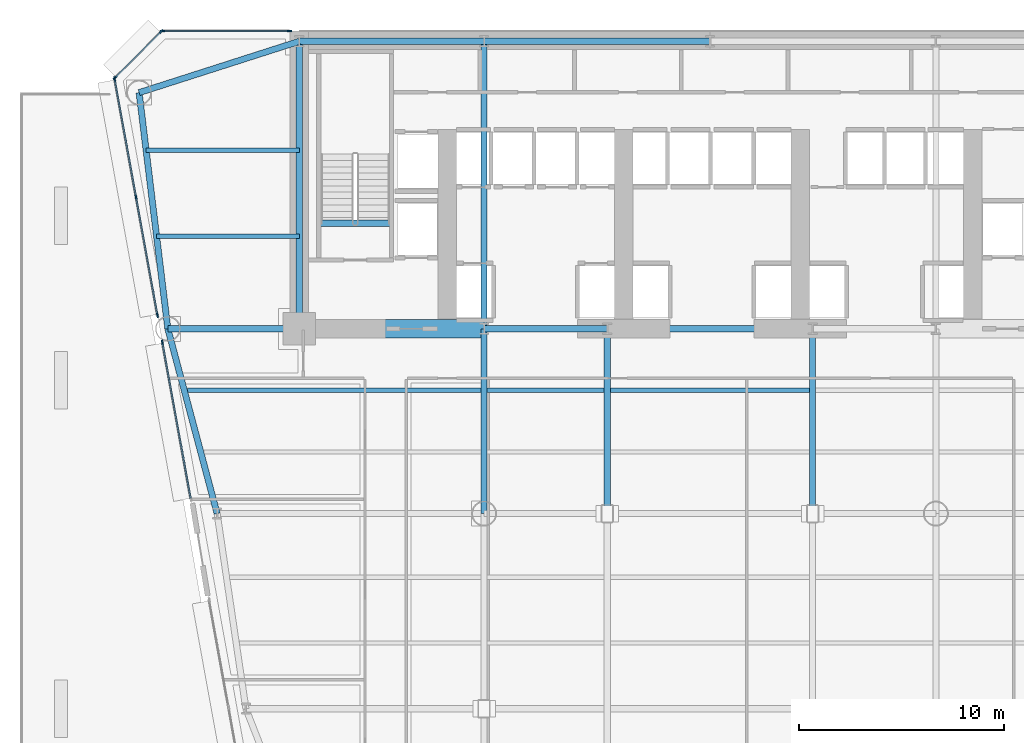
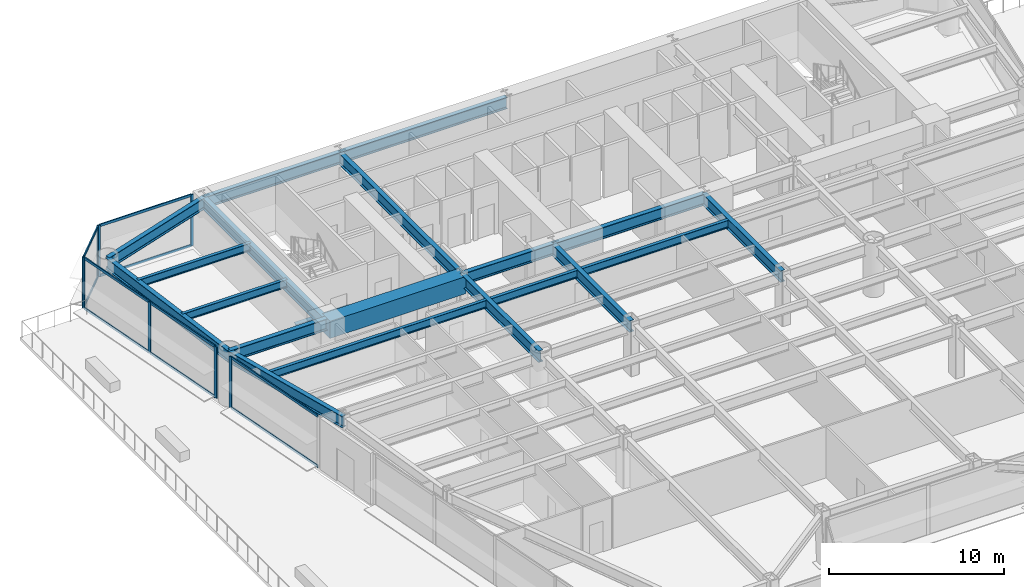
# One storey, part 5 of 14: 20 beams, 18 members, 4 elements without a shape of their own.
"""IFC4 building model written with IfcOpenShell, lengths in metres."""

from ifc_helpers import new_model, si_unit, direction, frame, origin, origin_2d, place, context, subcontext, project, spatial, rectangle, i_section, extrude, source, transform, mapped, material, layer, layer_set, material_profile, profile_set, type_object, element, aggregate, save


model = new_model("IFC4")

# Units and contexts
model_context = context("Model", 3, precision=1e-05, world=origin(), true_north=direction((0.0, 1.0)))
body_context = subcontext(model_context, "Body", "Model", "MODEL_VIEW")
ifc_project = project(units=[si_unit("LENGTHUNIT", "METRE"), si_unit("AREAUNIT", "SQUARE_METRE"), si_unit("VOLUMEUNIT", "CUBIC_METRE"), si_unit("PLANEANGLEUNIT", "RADIAN"), si_unit("MASSUNIT", "GRAM", prefix="KILO")], contexts=[model_context])

# Site, building, storey
site_placement = place(None, origin())
site = spatial("IfcSite", under=ifc_project, at=site_placement, CompositionType="ELEMENT")
building_placement = place(site_placement, origin())
building = spatial("IfcBuilding", under=site, at=building_placement, Name="Vaeldorn Concourse Tower", CompositionType="ELEMENT")
storey_placement = place(building_placement, frame((0.0, 0.0, 18.800048828125)))
storey = spatial("IfcBuildingStorey", under=building, at=storey_placement, Name="L04", CompositionType="ELEMENT", Elevation=18.800048828125)

# Beams
ifc_material_1 = material(Name="Concrete C60/75", Category="concrete")
ifc_material_profile_1 = material_profile(ifc_material_1, rectangle(XDim=0.89990234375, YDim=1.199951171875, at=origin_2d()), Name="RC 900x1200")
ifc_profile_set_1 = profile_set([ifc_material_profile_1], Name="Concrete C60/75")
beam_type_1 = type_object("IfcBeamType", Name="BM-CB-RC900", PredefinedType="BEAM", material=ifc_profile_set_1)
shared_shape_1 = source(origin(), body_context, "Body", "SweptSolid", [
    extrude(rectangle(XDim=0.89990234375, YDim=1.199951171875, at=origin_2d()), origin(), (0.0, 0.0, 1.0), 9.0),
])
beam_1_placement = place(storey_placement, frame((14.0, 36.5, 2.97998046875), z_axis=(1.0, 0.0, 0.0), x_axis=(0.0, 1.0, 0.0)))
element("IfcBeam", 1, at=beam_1_placement, inside=storey, type_object=beam_type_1, Name="Core Coupling Beam L04-1", PredefinedType="BEAM", context=body_context, shape_type="MappedRepresentation", body=[
    mapped(shared_shape_1, transform((0.0, 0.0, 0.0), scale=1.0)),
])
ifc_material_2 = material(Name="Steel S355", Category="steel")
ifc_material_profile_2 = material_profile(ifc_material_2, i_section(OverallWidth=0.300048828125, OverallDepth=0.340087890625, WebThickness=0.011962890625, FlangeThickness=0.021484375, FilletRadius=0.027099609375, at=origin_2d()), Name="HEB 340")
ifc_profile_set_2 = profile_set([ifc_material_profile_2], Name="Steel S355")
beam_type_2 = type_object("IfcBeamType", Name="BM-ST-TRIM", PredefinedType="BEAM", material=ifc_profile_set_2)
shared_shape_2 = source(origin(), body_context, "Body", "SweptSolid", [
    extrude(i_section(OverallWidth=0.300048828125, OverallDepth=0.340087890625, WebThickness=0.011962890625, FlangeThickness=0.021484375, FilletRadius=0.027099609375, at=origin_2d()), origin(), (0.0, 0.0, 1.0), 3.590087890625),
])
beam_2_placement = place(storey_placement, frame((14.929931640625, 41.639892578125, -0.449951171875), z_axis=(1.0, 0.0, 0.0), x_axis=(0.0, 1.0, 0.0)))
element("IfcBeam", 2, at=beam_2_placement, inside=storey, type_object=beam_type_2, Name="Stair Landing Trimmer Beam ST-1 L04", PredefinedType="BEAM", context=body_context, shape_type="MappedRepresentation", body=[
    mapped(shared_shape_2, transform((0.0, 0.0, 0.0), scale=1.0)),
])
ifc_material_profile_3 = material_profile(ifc_material_2, i_section(OverallWidth=0.300048828125, OverallDepth=0.800048828125, WebThickness=0.017578125, FlangeThickness=0.032958984375, FilletRadius=0.030029296875, at=origin_2d()), Name="HEB 800")
ifc_profile_set_3 = profile_set([ifc_material_profile_3], Name="Steel S355")
beam_type_3 = type_object("IfcBeamType", Name="BM-PG-HEB800", PredefinedType="BEAM", material=ifc_profile_set_3)
shared_shape_3 = source(origin(), body_context, "Body", "SweptSolid", [
    extrude(i_section(OverallWidth=0.300048828125, OverallDepth=0.800048828125, WebThickness=0.017578125, FlangeThickness=0.032958984375, FilletRadius=0.030029296875, at=origin_2d()), origin(), (0.0, 0.0, 1.0), 6.0),
])
beam_3_placement = place(storey_placement, frame((23.0, 36.5, 3.179931640625), z_axis=(1.0, 0.0, 0.0), x_axis=(0.0, 1.0, 0.0)))
element("IfcBeam", 3, at=beam_3_placement, inside=storey, type_object=beam_type_3, Name="Beam BM-L04-C-FC2-C-FC3", PredefinedType="BEAM", context=body_context, shape_type="MappedRepresentation", body=[
    mapped(shared_shape_3, transform((0.0, 0.0, 0.0), scale=1.0)),
])
shared_shape_4 = source(origin(), body_context, "Body", "SweptSolid", [
    extrude(i_section(OverallWidth=0.300048828125, OverallDepth=0.800048828125, WebThickness=0.017578125, FlangeThickness=0.032958984375, FilletRadius=0.030029296875, at=origin_2d()), origin(), (0.0, 0.0, 1.0), 10.0),
])
beam_4_placement = place(storey_placement, frame((29.0, 36.5, 3.179931640625), z_axis=(1.0, 0.0, 0.0), x_axis=(0.0, 1.0, 0.0)))
element("IfcBeam", 4, at=beam_4_placement, inside=storey, type_object=beam_type_3, Name="Beam BM-L04-C-FC3-C-FC4", PredefinedType="BEAM", context=body_context, shape_type="MappedRepresentation", body=[
    mapped(shared_shape_4, transform((0.0, 0.0, 0.0), scale=1.0)),
])
shared_shape_5 = source(origin(), body_context, "Body", "SweptSolid", [
    extrude(i_section(OverallWidth=0.300048828125, OverallDepth=0.800048828125, WebThickness=0.017578125, FlangeThickness=0.032958984375, FilletRadius=0.030029296875, at=origin_2d()), origin(), (0.0, 0.0, 1.0), 9.0),
])
for number, where, z_axis, x_axis, name in (
    (5, (14.0, 50.5, 3.179931640625), (1.0, 0.0, 0.0), (0.0, 1.0, 0.0), "Beam BM-L04-C-HC1-C-HC2"),
    (6, (23.0, 27.5, 3.179931640625), (0.0, 1.0, 0.0), (-1.0, 0.0, 0.0), "Beam BM-L04-C-TW1-C-FC2"),
    (7, (29.0, 27.5, 3.179931640625), (0.0, 1.0, 0.0), (-1.0, 0.0, 0.0), "Beam BM-L04-C-TW2-C-FC3"),
    (8, (39.0, 27.5, 3.179931640625), (0.0, 1.0, 0.0), (-1.0, 0.0, 0.0), "Beam BM-L04-C-TW3-C-FC4"),
):
    element("IfcBeam", number, at=place(storey_placement, frame(where, z_axis=z_axis, x_axis=x_axis)), inside=storey, type_object=beam_type_3, Name=name, PredefinedType="BEAM", context=body_context, shape_type="MappedRepresentation", body=[
        mapped(shared_shape_5, transform((0.0, 0.0, 0.0), scale=1.0)),
    ])
shared_shape_6 = source(origin(), body_context, "Body", "SweptSolid", [
    extrude(i_section(OverallWidth=0.300048828125, OverallDepth=0.800048828125, WebThickness=0.017578125, FlangeThickness=0.032958984375, FilletRadius=0.030029296875, at=origin_2d()), origin(), (0.0, 0.0, 1.0), 11.0),
])
beam_5_placement = place(storey_placement, frame((23.0, 50.5, 3.179931640625), z_axis=(1.0, 0.0, 0.0), x_axis=(0.0, 1.0, 0.0)))
element("IfcBeam", 9, at=beam_5_placement, inside=storey, type_object=beam_type_3, Name="Beam BM-L04-C-HC2-C-HC3", PredefinedType="BEAM", context=body_context, shape_type="MappedRepresentation", body=[
    mapped(shared_shape_6, transform((0.0, 0.0, 0.0), scale=1.0)),
])
shared_shape_7 = source(origin(), body_context, "Body", "SweptSolid", [
    extrude(i_section(OverallWidth=0.300048828125, OverallDepth=0.800048828125, WebThickness=0.017578125, FlangeThickness=0.032958984375, FilletRadius=0.030029296875, at=origin_2d()), origin(), (0.0, 0.0, 1.0), 14.0),
])
for number, where, z_axis, x_axis, name in (
    (10, (14.0, 36.5, 3.179931640625), (0.0, 1.0, 0.0), (-1.0, 0.0, 0.0), "Beam BM-L04-C-FC1-C-HC1"),
    (11, (23.0, 36.5, 3.179931640625), (0.0, 1.0, 0.0), (-1.0, 0.0, 0.0), "Beam BM-L04-C-FC2-C-HC2"),
):
    element("IfcBeam", number, at=place(storey_placement, frame(where, z_axis=z_axis, x_axis=x_axis)), inside=storey, type_object=beam_type_3, Name=name, PredefinedType="BEAM", context=body_context, shape_type="MappedRepresentation", body=[
        mapped(shared_shape_7, transform((0.0, 0.0, 0.0), scale=1.0)),
    ])
shared_shape_8 = source(origin(), body_context, "Body", "SweptSolid", [
    extrude(i_section(OverallWidth=0.300048828125, OverallDepth=0.800048828125, WebThickness=0.017578125, FlangeThickness=0.032958984375, FilletRadius=0.030029296875, at=origin_2d()), origin(), (0.0, 0.0, 1.0), 8.19091796875),
])
beam_6_placement = place(storey_placement, frame((6.199951171875, 48.0, 3.179931640625), z_axis=(0.952282843383, 0.305216949396, 0.0), x_axis=(-0.305216949396, 0.952282843383, 0.0)))
element("IfcBeam", 12, at=beam_6_placement, inside=storey, type_object=beam_type_3, Name="Beam BM-L04-C-NW1-C-HC1", PredefinedType="BEAM", context=body_context, shape_type="MappedRepresentation", body=[
    mapped(shared_shape_8, transform((0.0, 0.0, 0.0), scale=1.0)),
])
shared_shape_9 = source(origin(), body_context, "Body", "SweptSolid", [
    extrude(i_section(OverallWidth=0.300048828125, OverallDepth=0.800048828125, WebThickness=0.017578125, FlangeThickness=0.032958984375, FilletRadius=0.030029296875, at=origin_2d()), origin(), (0.0, 0.0, 1.0), 11.5849609375),
])
beam_7_placement = place(storey_placement, frame((6.199951171875, 48.0, 3.179931640625), z_axis=(0.120859382899, -0.992669637677, 0.0), x_axis=(0.992669637677, 0.120859382899, 0.0)))
element("IfcBeam", 13, at=beam_7_placement, inside=storey, type_object=beam_type_3, Name="Beam BM-L04-C-NW1-C-NW2", PredefinedType="BEAM", context=body_context, shape_type="MappedRepresentation", body=[
    mapped(shared_shape_9, transform((0.0, 0.0, 0.0), scale=1.0)),
])
shared_shape_10 = source(origin(), body_context, "Body", "SweptSolid", [
    extrude(i_section(OverallWidth=0.300048828125, OverallDepth=0.800048828125, WebThickness=0.017578125, FlangeThickness=0.032958984375, FilletRadius=0.030029296875, at=origin_2d()), origin(), (0.0, 0.0, 1.0), 6.39990234375),
])
beam_8_placement = place(storey_placement, frame((7.60009765625, 36.5, 3.179931640625), z_axis=(1.0, 0.0, 0.0), x_axis=(0.0, 1.0, 0.0)))
element("IfcBeam", 14, at=beam_8_placement, inside=storey, type_object=beam_type_3, Name="Beam BM-L04-C-NW2-C-FC1", PredefinedType="BEAM", context=body_context, shape_type="MappedRepresentation", body=[
    mapped(shared_shape_10, transform((0.0, 0.0, 0.0), scale=1.0)),
])
shared_shape_11 = source(origin(), body_context, "Body", "SweptSolid", [
    extrude(i_section(OverallWidth=0.300048828125, OverallDepth=0.800048828125, WebThickness=0.017578125, FlangeThickness=0.032958984375, FilletRadius=0.030029296875, at=origin_2d()), origin(), (0.0, 0.0, 1.0), 9.314453125),
])
beam_9_placement = place(storey_placement, frame((7.60009765625, 36.5, 3.179931640625), z_axis=(0.257652862255, -0.966237549763, 0.0), x_axis=(0.966237549763, 0.257652862255, 0.0)))
element("IfcBeam", 15, at=beam_9_placement, inside=storey, type_object=beam_type_3, Name="Beam BM-L04-C-NW2-C-FLW1", PredefinedType="BEAM", context=body_context, shape_type="MappedRepresentation", body=[
    mapped(shared_shape_11, transform((0.0, 0.0, 0.0), scale=1.0)),
])
ifc_material_profile_4 = material_profile(ifc_material_2, i_section(OverallWidth=0.2099609375, OverallDepth=0.550048828125, WebThickness=0.010986328125, FlangeThickness=0.01708984375, FilletRadius=0.02392578125, at=origin_2d()), Name="IPE 550")
ifc_profile_set_4 = profile_set([ifc_material_profile_4], Name="Steel S355")
beam_type_4 = type_object("IfcBeamType", Name="BM-JS-IPE550", PredefinedType="JOIST", material=ifc_profile_set_4)
shared_shape_12 = source(origin(), body_context, "Body", "SweptSolid", [
    extrude(i_section(OverallWidth=0.2099609375, OverallDepth=0.550048828125, WebThickness=0.010986328125, FlangeThickness=0.01708984375, FilletRadius=0.02392578125, at=origin_2d()), origin(), (0.0, 0.0, 1.0), 5.7001953125),
])
beam_10_placement = place(storey_placement, frame((23.14990234375, 33.5, 3.304931640625), z_axis=(1.0, 0.0, 0.0), x_axis=(0.0, 1.0, 0.0)))
element("IfcBeam", 16, at=beam_10_placement, inside=storey, type_object=beam_type_4, Name="Beam JS-L04-W2-335", PredefinedType="JOIST", context=body_context, shape_type="MappedRepresentation", body=[
    mapped(shared_shape_12, transform((0.0, 0.0, 0.0), scale=1.0)),
])
shared_shape_13 = source(origin(), body_context, "Body", "SweptSolid", [
    extrude(i_section(OverallWidth=0.2099609375, OverallDepth=0.550048828125, WebThickness=0.010986328125, FlangeThickness=0.01708984375, FilletRadius=0.02392578125, at=origin_2d()), origin(), (0.0, 0.0, 1.0), 9.7001953125),
])
beam_11_placement = place(storey_placement, frame((29.14990234375, 33.5, 3.304931640625), z_axis=(1.0, 0.0, 0.0), x_axis=(0.0, 1.0, 0.0)))
element("IfcBeam", 17, at=beam_11_placement, inside=storey, type_object=beam_type_4, Name="Beam JS-L04-C-335", PredefinedType="JOIST", context=body_context, shape_type="MappedRepresentation", body=[
    mapped(shared_shape_13, transform((0.0, 0.0, 0.0), scale=1.0)),
])
shared_shape_14 = source(origin(), body_context, "Body", "SweptSolid", [
    extrude(i_section(OverallWidth=0.2099609375, OverallDepth=0.550048828125, WebThickness=0.010986328125, FlangeThickness=0.01708984375, FilletRadius=0.02392578125, at=origin_2d()), origin(), (0.0, 0.0, 1.0), 14.300048828125),
])
beam_12_placement = place(storey_placement, frame((8.550048828125, 33.5, 3.304931640625), z_axis=(1.0, 0.0, 0.0), x_axis=(0.0, 1.0, 0.0)))
element("IfcBeam", 18, at=beam_12_placement, inside=storey, type_object=beam_type_4, Name="Beam JS-L04-W1-335", PredefinedType="JOIST", context=body_context, shape_type="MappedRepresentation", body=[
    mapped(shared_shape_14, transform((0.0, 0.0, 0.0), scale=1.0)),
])
shared_shape_15 = source(origin(), body_context, "Body", "SweptSolid", [
    extrude(i_section(OverallWidth=0.2099609375, OverallDepth=0.550048828125, WebThickness=0.010986328125, FlangeThickness=0.01708984375, FilletRadius=0.02392578125, at=origin_2d()), origin(), (0.0, 0.0, 1.0), 6.94775390625),
])
beam_13_placement = place(storey_placement, frame((7.05224609375, 41.0, 3.304931640625), z_axis=(1.0, 0.0, 0.0), x_axis=(0.0, 1.0, 0.0)))
element("IfcBeam", 19, at=beam_13_placement, inside=storey, type_object=beam_type_4, Name="Beam JS-L04-NW-410", PredefinedType="JOIST", context=body_context, shape_type="MappedRepresentation", body=[
    mapped(shared_shape_15, transform((0.0, 0.0, 0.0), scale=1.0)),
])
shared_shape_16 = source(origin(), body_context, "Body", "SweptSolid", [
    extrude(i_section(OverallWidth=0.2099609375, OverallDepth=0.550048828125, WebThickness=0.010986328125, FlangeThickness=0.01708984375, FilletRadius=0.02392578125, at=origin_2d()), origin(), (0.0, 0.0, 1.0), 7.458984375),
])
beam_14_placement = place(storey_placement, frame((6.541015625, 45.199951171875, 3.304931640625), z_axis=(1.0, 0.0, 0.0), x_axis=(0.0, 1.0, 0.0)))
element("IfcBeam", 20, at=beam_14_placement, inside=storey, type_object=beam_type_4, Name="Beam JS-L04-NW-452", PredefinedType="JOIST", context=body_context, shape_type="MappedRepresentation", body=[
    mapped(shared_shape_16, transform((0.0, 0.0, 0.0), scale=1.0)),
])

# Curtain wall, members
ifc_material_3 = material(Name="Anodised Bronze Aluminium", Category="aluminium")
ifc_layer_1 = layer(ifc_material_3, 0.219970703125)
ifc_layer_set_1 = layer_set([ifc_layer_1], Name="Anodised Bronze Aluminium")
curtain_wall_type_1 = type_object("IfcCurtainWallType", Name="CW-SYS-01", PredefinedType="NOTDEFINED", material=ifc_layer_set_1)
curtain_wall_1_placement = place(storey_placement, origin())
curtain_wall_1 = element("IfcCurtainWall", 21, at=curtain_wall_1_placement, inside=storey, type_object=curtain_wall_type_1, Name="Unitised Curtain Wall CW-L04-E09-2", PredefinedType="NOTDEFINED")
ifc_material_profile_5 = material_profile(ifc_material_3, rectangle(XDim=0.074951171875, YDim=0.219970703125, at=origin_2d()), Name="CWM 75x220")
ifc_profile_set_5 = profile_set([ifc_material_profile_5], Name="Anodised Bronze Aluminium")
member_type_1 = type_object("IfcMemberType", Name="CWM-BRONZE-220", PredefinedType="MULLION", material=ifc_profile_set_5)
shared_shape_17 = source(origin(), body_context, "Body", "SweptSolid", [
    extrude(rectangle(XDim=0.074951171875, YDim=0.219970703125, at=origin_2d()), origin(), (0.0, 0.0, 1.0), 3.579833984375),
])
member_1_placement = place(storey_placement, frame((13.517578125, 51.0, 0.0), z_axis=(0.0, 0.0, 1.0), x_axis=(0.0, -1.0, 0.0)))
member_1 = element("IfcMember", 22, at=member_1_placement, type_object=member_type_1, Name="CW-01 mullion 1", PredefinedType="MULLION", context=body_context, shape_type="MappedRepresentation", body=[
    mapped(shared_shape_17, transform((0.0, 0.0, 0.0), scale=1.0)),
])
member_2_placement = place(storey_placement, frame((7.33740234375, 51.0, 0.0), z_axis=(0.0, 0.0, 1.0), x_axis=(0.0, -1.0, 0.0)))
member_2 = element("IfcMember", 23, at=member_2_placement, type_object=member_type_1, Name="CW-01 mullion 2", PredefinedType="MULLION", context=body_context, shape_type="MappedRepresentation", body=[
    mapped(shared_shape_17, transform((0.0, 0.0, 0.0), scale=1.0)),
])

curtain_wall_2_placement = place(storey_placement, origin())
curtain_wall_2 = element("IfcCurtainWall", 24, at=curtain_wall_2_placement, inside=storey, type_object=curtain_wall_type_1, Name="Unitised Curtain Wall CW-L04-E10-1", PredefinedType="NOTDEFINED")
member_3_placement = place(storey_placement, frame((7.2734375, 50.973388671875, 0.0), z_axis=(0.0, 0.0, 1.0), x_axis=(0.707106781187, -0.707106781187, 0.0)))
member_3 = element("IfcMember", 25, at=member_3_placement, type_object=member_type_1, Name="CW-01 mullion 1", PredefinedType="MULLION", context=body_context, shape_type="MappedRepresentation", body=[
    mapped(shared_shape_17, transform((0.0, 0.0, 0.0), scale=1.0)),
])
member_4_placement = place(storey_placement, frame((5.026611328125, 48.7265625, 0.0), z_axis=(0.0, 0.0, 1.0), x_axis=(0.707106781187, -0.707106781187, 0.0)))
member_4 = element("IfcMember", 26, at=member_4_placement, type_object=member_type_1, Name="CW-01 mullion 2", PredefinedType="MULLION", context=body_context, shape_type="MappedRepresentation", body=[
    mapped(shared_shape_17, transform((0.0, 0.0, 0.0), scale=1.0)),
])

ifc_layer_2 = layer(ifc_material_3, 0.2099609375)
ifc_layer_set_2 = layer_set([ifc_layer_2], Name="Anodised Bronze Aluminium")
curtain_wall_type_2 = type_object("IfcCurtainWallType", Name="CW-SYS-06", PredefinedType="NOTDEFINED", material=ifc_layer_set_2)
curtain_wall_3_placement = place(storey_placement, origin())
curtain_wall_3 = element("IfcCurtainWall", 27, at=curtain_wall_3_placement, inside=storey, type_object=curtain_wall_type_2, Name="Unitised Curtain Wall CW-L04-E11-1", PredefinedType="NOTDEFINED")
member_5_placement = place(storey_placement, frame((5.006591796875, 48.6630859375, 0.0), z_axis=(0.0, 0.0, 1.0), x_axis=(0.983949747964, 0.178445771823, 0.0)))
member_5 = element("IfcMember", 28, at=member_5_placement, type_object=member_type_1, Name="CW-06 mullion 1", PredefinedType="MULLION", context=body_context, shape_type="MappedRepresentation", body=[
    mapped(shared_shape_17, transform((0.0, 0.0, 0.0), scale=1.0)),
])
member_6_placement = place(storey_placement, frame((6.050048828125, 42.90966796875, 0.0), z_axis=(0.0, 0.0, 1.0), x_axis=(0.983949747964, 0.178445771823, 0.0)))
member_6 = element("IfcMember", 29, at=member_6_placement, type_object=member_type_1, Name="CW-06 mullion 2", PredefinedType="MULLION", context=body_context, shape_type="MappedRepresentation", body=[
    mapped(shared_shape_17, transform((0.0, 0.0, 0.0), scale=1.0)),
])
member_7_placement = place(storey_placement, frame((7.093505859375, 37.156494140625, 0.0), z_axis=(0.0, 0.0, 1.0), x_axis=(0.983949747964, 0.178445771823, 0.0)))
member_7 = element("IfcMember", 30, at=member_7_placement, type_object=member_type_1, Name="CW-06 mullion 3", PredefinedType="MULLION", context=body_context, shape_type="MappedRepresentation", body=[
    mapped(shared_shape_17, transform((0.0, 0.0, 0.0), scale=1.0)),
])

curtain_wall_4_placement = place(storey_placement, origin())
curtain_wall_4 = element("IfcCurtainWall", 31, at=curtain_wall_4_placement, inside=storey, type_object=curtain_wall_type_2, Name="Unitised Curtain Wall CW-L04-E11-2", PredefinedType="NOTDEFINED")
member_8_placement = place(storey_placement, frame((7.33154296875, 35.843505859375, 0.0), z_axis=(0.0, 0.0, 1.0), x_axis=(0.983950207117, 0.178443240034, 0.0)))
member_8 = element("IfcMember", 32, at=member_8_placement, type_object=member_type_1, Name="CW-06 mullion 1", PredefinedType="MULLION", context=body_context, shape_type="MappedRepresentation", body=[
    mapped(shared_shape_17, transform((0.0, 0.0, 0.0), scale=1.0)),
])
ifc_material_profile_6 = material_profile(ifc_material_3, rectangle(XDim=0.074951171875, YDim=0.179931640625, at=origin_2d()), Name="CWT 75x180")
ifc_profile_set_6 = profile_set([ifc_material_profile_6], Name="Anodised Bronze Aluminium")
member_type_2 = type_object("IfcMemberType", Name="CWT-BRONZE-180", PredefinedType="USERDEFINED", material=ifc_profile_set_6)
shared_shape_18 = source(origin(), body_context, "Body", "SweptSolid", [
    extrude(rectangle(XDim=0.074951171875, YDim=0.179931640625, at=origin_2d()), origin(), (0.0, 0.0, 1.0), 7.691162109375),
])
member_9_placement = place(storey_placement, frame((7.33837890625, 35.806640625, 0.037353515625), z_axis=(0.178430090593, -0.983952591729, 0.0), x_axis=(0.983952591729, 0.178430090593, 0.0)))
member_9 = element("IfcMember", 33, at=member_9_placement, type_object=member_type_2, Name="CW-06 transom 1.1", ObjectType="TRANSOM", PredefinedType="USERDEFINED", context=body_context, shape_type="MappedRepresentation", body=[
    mapped(shared_shape_18, transform((0.0, 0.0, 0.0), scale=1.0)),
])
member_10_placement = place(storey_placement, frame((7.33837890625, 35.806640625, 3.54248046875), z_axis=(0.178430090593, -0.983952591729, 0.0), x_axis=(0.983952591729, 0.178430090593, 0.0)))
member_10 = element("IfcMember", 34, at=member_10_placement, type_object=member_type_2, Name="CW-06 transom 1.2", ObjectType="TRANSOM", PredefinedType="USERDEFINED", context=body_context, shape_type="MappedRepresentation", body=[
    mapped(shared_shape_18, transform((0.0, 0.0, 0.0), scale=1.0)),
])
aggregate(curtain_wall_4, [member_8, member_9, member_10])

# Member
shared_shape_19 = source(origin(), body_context, "Body", "SweptSolid", [
    extrude(rectangle(XDim=0.074951171875, YDim=0.179931640625, at=origin_2d()), origin(), (0.0, 0.0, 1.0), 5.77197265625),
])
member_11_placement = place(storey_placement, frame((6.056884765625, 42.872802734375, 0.037353515625), z_axis=(0.178449933472, -0.983948993212, 0.0), x_axis=(0.983948993212, 0.178449933472, 0.0)))
member_11 = element("IfcMember", 35, at=member_11_placement, type_object=member_type_2, Name="CW-06 transom 2.1", ObjectType="TRANSOM", PredefinedType="USERDEFINED", context=body_context, shape_type="MappedRepresentation", body=[
    mapped(shared_shape_19, transform((0.0, 0.0, 0.0), scale=1.0)),
])

member_12_placement = place(storey_placement, frame((6.056884765625, 42.872802734375, 3.54248046875), z_axis=(0.178449933472, -0.983948993212, 0.0), x_axis=(0.983948993212, 0.178449933472, 0.0)))
member_12 = element("IfcMember", 36, at=member_12_placement, type_object=member_type_2, Name="CW-06 transom 2.2", ObjectType="TRANSOM", PredefinedType="USERDEFINED", context=body_context, shape_type="MappedRepresentation", body=[
    mapped(shared_shape_19, transform((0.0, 0.0, 0.0), scale=1.0)),
])

shared_shape_20 = source(origin(), body_context, "Body", "SweptSolid", [
    extrude(rectangle(XDim=0.074951171875, YDim=0.179931640625, at=origin_2d()), origin(), (0.0, 0.0, 1.0), 5.772216796875),
])
member_13_placement = place(storey_placement, frame((5.013427734375, 48.626220703125, 0.037353515625), z_axis=(0.178442507077, -0.983950340042, 0.0), x_axis=(0.983950340042, 0.178442507077, 0.0)))
member_13 = element("IfcMember", 37, at=member_13_placement, type_object=member_type_2, Name="CW-06 transom 1.1", ObjectType="TRANSOM", PredefinedType="USERDEFINED", context=body_context, shape_type="MappedRepresentation", body=[
    mapped(shared_shape_20, transform((0.0, 0.0, 0.0), scale=1.0)),
])

member_14_placement = place(storey_placement, frame((5.013427734375, 48.626220703125, 3.54248046875), z_axis=(0.178442507077, -0.983950340042, 0.0), x_axis=(0.983950340042, 0.178442507077, 0.0)))
member_14 = element("IfcMember", 38, at=member_14_placement, type_object=member_type_2, Name="CW-06 transom 1.2", ObjectType="TRANSOM", PredefinedType="USERDEFINED", context=body_context, shape_type="MappedRepresentation", body=[
    mapped(shared_shape_20, transform((0.0, 0.0, 0.0), scale=1.0)),
])

aggregate(curtain_wall_3, [member_5, member_6, member_7, member_13, member_14, member_11, member_12])

shared_shape_21 = source(origin(), body_context, "Body", "SweptSolid", [
    extrude(rectangle(XDim=0.074951171875, YDim=0.179931640625, at=origin_2d()), origin(), (0.0, 0.0, 1.0), 3.10302734375),
])
member_15_placement = place(storey_placement, frame((7.2470703125, 50.947021484375, 0.037353515625), z_axis=(-0.707106781187, -0.707106781187, 0.0), x_axis=(0.707106781187, -0.707106781187, 0.0)))
member_15 = element("IfcMember", 39, at=member_15_placement, type_object=member_type_2, Name="CW-01 transom 1.1", ObjectType="TRANSOM", PredefinedType="USERDEFINED", context=body_context, shape_type="MappedRepresentation", body=[
    mapped(shared_shape_21, transform((0.0, 0.0, 0.0), scale=1.0)),
])

member_16_placement = place(storey_placement, frame((7.2470703125, 50.947021484375, 3.54248046875), z_axis=(-0.707106781187, -0.707106781187, 0.0), x_axis=(0.707106781187, -0.707106781187, 0.0)))
member_16 = element("IfcMember", 40, at=member_16_placement, type_object=member_type_2, Name="CW-01 transom 1.2", ObjectType="TRANSOM", PredefinedType="USERDEFINED", context=body_context, shape_type="MappedRepresentation", body=[
    mapped(shared_shape_21, transform((0.0, 0.0, 0.0), scale=1.0)),
])

aggregate(curtain_wall_2, [member_3, member_4, member_15, member_16])

shared_shape_22 = source(origin(), body_context, "Body", "SweptSolid", [
    extrude(rectangle(XDim=0.074951171875, YDim=0.179931640625, at=origin_2d()), origin(), (0.0, 0.0, 1.0), 6.10498046875),
])
member_17_placement = place(storey_placement, frame((13.47998046875, 51.0, 0.037353515625), z_axis=(-1.0, 0.0, 0.0), x_axis=(0.0, -1.0, 0.0)))
member_17 = element("IfcMember", 41, at=member_17_placement, type_object=member_type_2, Name="CW-01 transom 1.1", ObjectType="TRANSOM", PredefinedType="USERDEFINED", context=body_context, shape_type="MappedRepresentation", body=[
    mapped(shared_shape_22, transform((0.0, 0.0, 0.0), scale=1.0)),
])

member_18_placement = place(storey_placement, frame((13.47998046875, 51.0, 3.54248046875), z_axis=(-1.0, 0.0, 0.0), x_axis=(0.0, -1.0, 0.0)))
member_18 = element("IfcMember", 42, at=member_18_placement, type_object=member_type_2, Name="CW-01 transom 1.2", ObjectType="TRANSOM", PredefinedType="USERDEFINED", context=body_context, shape_type="MappedRepresentation", body=[
    mapped(shared_shape_22, transform((0.0, 0.0, 0.0), scale=1.0)),
])

aggregate(curtain_wall_1, [member_1, member_2, member_17, member_18])

save(model, "model.ifc")
